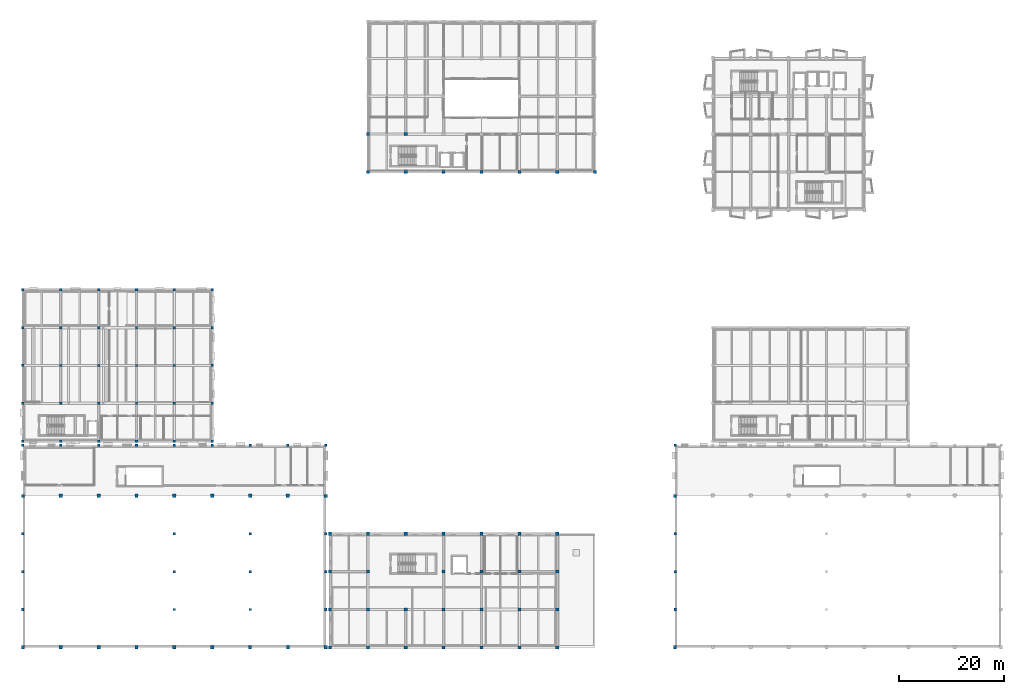
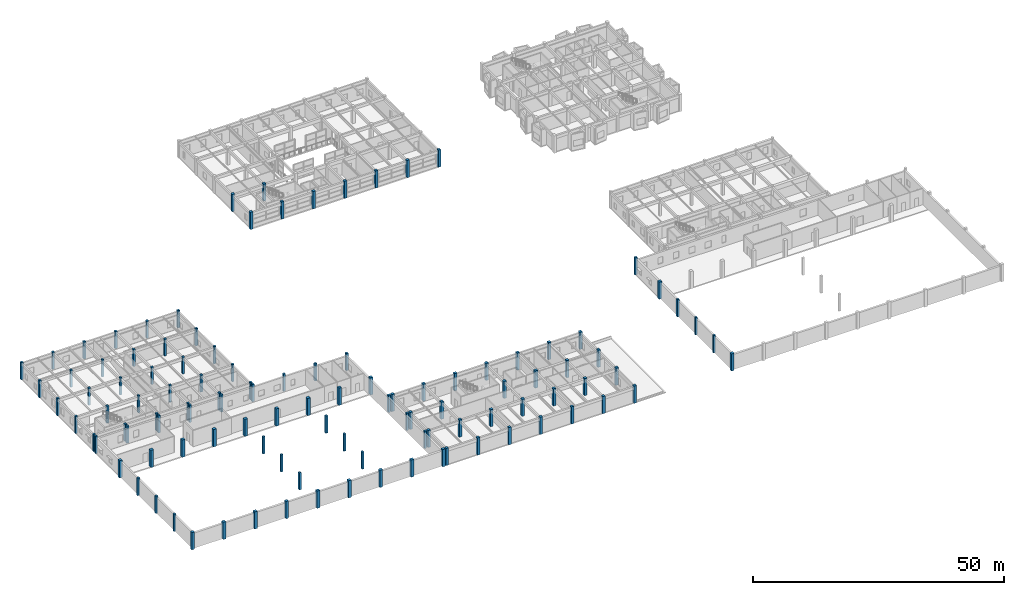
# One storey, part 1 of 49: 111 columns.
"""IFC4 building model written with IfcOpenShell, lengths in metres."""

import ifcopenshell
import ifcopenshell.guid

model = None  # the IFC model being written
_history = None  # IfcOwnerHistory: only IFC2X3 demands one
_inside = {}  # id of a spatial element -> (the spatial element, [elements in it])
_under = {}  # id of a project, library or spatial element -> (it, [spatial elements below it])
_declared = {}  # id of a project -> (the project, [libraries it declares])
_typed = {}  # id of a type object -> (the type object, [elements of that type])
_made_of = {}  # id of a material, layer set ... -> (it, [elements and type objects made of it])


def new_model(schema):
    """Start an empty IFC model of exactly this schema.

    Asked for "IFC4X3", IfcOpenShell would pick the latest addendum, in which some entities
    have other attributes; the version numbers below select the first issue.
    IFC2X3 requires an IfcOwnerHistory on every rooted entity: one is made here for all.
    """
    global model, _history
    if schema == "IFC4X3":
        model = ifcopenshell.file(schema_version=(4, 3, 0, 0))
    else:
        model = ifcopenshell.file(schema=schema)
    _inside.clear()
    _under.clear()
    _declared.clear()
    _typed.clear()
    _made_of.clear()
    _history = None
    if model.schema == "IFC2X3":
        org = make("IfcOrganization", Name="unknown")
        user = make(
            "IfcPersonAndOrganization",
            ThePerson=make("IfcPerson", FamilyName="unknown"),
            TheOrganization=org,
        )
        app = make(
            "IfcApplication",
            ApplicationDeveloper=org,
            Version="unknown",
            ApplicationFullName="unknown",
            ApplicationIdentifier="unknown",
        )
        _history = make(
            "IfcOwnerHistory",
            OwningUser=user,
            OwningApplication=app,
            ChangeAction="ADDED",
            CreationDate=0,
        )
    return model


def make(cls, **values):
    """One entity of the class cls with the attributes given. An attribute that is None is left unset."""
    return model.create_entity(
        cls, **{name: value for name, value in values.items() if value is not None}
    )


def rooted(cls, **values):
    """An entity with a GlobalId (a new one), such as an element, a storey or a relation."""
    return make(cls, GlobalId=ifcopenshell.guid.new(), OwnerHistory=_history, **values)


def si_unit(unit_type, name, prefix=None):
    """IfcSIUnit, for example si_unit("LENGTHUNIT", "METRE", prefix="MILLI")."""
    return make("IfcSIUnit", UnitType=unit_type, Prefix=prefix, Name=name)


def assignment(units):
    """IfcUnitAssignment: the units of a project."""
    return None if units is None else make("IfcUnitAssignment", Units=units)


def point(xyz):
    """IfcCartesianPoint."""
    return None if xyz is None else make("IfcCartesianPoint", Coordinates=xyz)


def direction(xyz):
    """IfcDirection."""
    return None if xyz is None else make("IfcDirection", DirectionRatios=xyz)


def frame(location, z_axis=None, x_axis=None):
    """IfcAxis2Placement3D, a coordinate frame: its origin and axes. An axis left out is left unset."""
    return make(
        "IfcAxis2Placement3D",
        Location=point(location),
        Axis=direction(z_axis),
        RefDirection=direction(x_axis),
    )


def frame_2d(location, x_axis=None):
    """IfcAxis2Placement2D, a coordinate frame in the plane: its origin and x axis."""
    return make(
        "IfcAxis2Placement2D", Location=point(location), RefDirection=direction(x_axis)
    )


def origin():
    """The frame at (0, 0, 0) with its axes left unset."""
    return frame((0.0, 0.0, 0.0))


def origin_2d():
    """The frame at (0, 0) in the plane with its x axis left unset."""
    return frame_2d((0.0, 0.0))


def place(relative_to, where):
    """IfcLocalPlacement: puts the frame where relative to a parent placement (None: the world)."""
    return make(
        "IfcLocalPlacement", PlacementRelTo=relative_to, RelativePlacement=where
    )


def context(
    kind, dimensions, precision=None, world=None, true_north=None, identifier=None
):
    """IfcGeometricRepresentationContext, for example the 3D "Model" context."""
    return make(
        "IfcGeometricRepresentationContext",
        ContextIdentifier=identifier,
        ContextType=kind,
        CoordinateSpaceDimension=dimensions,
        Precision=precision,
        WorldCoordinateSystem=world,
        TrueNorth=true_north,
    )


def subcontext(parent, identifier, kind, view, scale=None):
    """IfcGeometricRepresentationSubContext, for example "Body" below "Model"."""
    return make(
        "IfcGeometricRepresentationSubContext",
        ContextIdentifier=identifier,
        ContextType=kind,
        ParentContext=parent,
        TargetScale=scale,
        TargetView=view,
    )


def project(units=None, contexts=None):
    """IfcProject with its units and contexts."""
    return rooted(
        "IfcProject",
        Name="project",
        RepresentationContexts=contexts,
        UnitsInContext=assignment(units),
    )


def spatial(cls, under=None, at=None, **own):
    """A site, building, storey or space (cls), placed at a placement, below another one or the project."""
    s = rooted(cls, ObjectPlacement=at, **own)
    if under is not None:
        _under.setdefault(under.id(), (under, []))[1].append(s)
    return s


def profile(cls, at=None, kind="AREA", **sizes):
    """A parametric profile (cls). Its sizes go by their IFC names, for example OverallWidth=200.0."""
    return make(cls, ProfileType=kind, Position=at, **sizes)


def rectangle(**sizes):
    """IfcRectangleProfileDef."""
    return profile("IfcRectangleProfileDef", **sizes)


def extrude(swept, where, along, depth):
    """IfcExtrudedAreaSolid: the profile swept, set in the frame where, extruded along a direction by depth."""
    return make(
        "IfcExtrudedAreaSolid",
        SweptArea=swept,
        Position=where,
        ExtrudedDirection=direction(along),
        Depth=depth,
    )


def shape(context_of_items, identifier, shape_type, items):
    """IfcShapeRepresentation: the items that make up one representation, for example the "Body"."""
    return make(
        "IfcShapeRepresentation",
        ContextOfItems=context_of_items,
        RepresentationIdentifier=identifier,
        RepresentationType=shape_type,
        Items=items,
    )


def material(Name=None, Category=None):
    """IfcMaterial."""
    return make("IfcMaterial", Name=Name, Category=Category)


def material_profile(
    of_material, cross_section, Name=None, Category=None, Priority=None
):
    """IfcMaterialProfile: a cross section and its material."""
    return make(
        "IfcMaterialProfile",
        Name=Name,
        Material=of_material,
        Profile=cross_section,
        Priority=Priority,
        Category=Category,
    )


def profile_set(profiles, Name=None, composite=None):
    """IfcMaterialProfileSet."""
    return make(
        "IfcMaterialProfileSet",
        Name=Name,
        MaterialProfiles=profiles,
        CompositeProfile=composite,
    )


def made_of(thing, what):
    """Note that an element or type object is made of a material, layer set ...; save() writes the relation."""
    if what is not None:
        _made_of.setdefault(what.id(), (what, []))[1].append(thing)
    return thing


def type_object(cls, material=None, **own):
    """A type object (cls), such as IfcWallType, which elements share."""
    return made_of(rooted(cls, **own), material)


def element(
    cls,
    number,
    at=None,
    inside=None,
    cuts=None,
    type_object=None,
    material=None,
    context=None,
    identifier="Body",
    shape_type=None,
    held_by="IfcProductDefinitionShape",
    body=None,
    shapes=None,
    **own,
):
    """One element of the class cls, such as IfcWall. Its Tag is "e" and its number.

    at: its placement. inside: the storey or other place that contains it. cuts: it is an
    opening in that element (IfcRelVoidsElement). A single representation is given by context,
    identifier, shape_type and body (its items); several are given by shapes. held_by: the class
    of the entity that holds the representations. save() writes the other relations.
    """
    e = rooted(cls, Tag="e%d" % number, ObjectPlacement=at, **own)
    if body is not None:
        shapes = [shape(context, identifier, shape_type, body)]
    if shapes is not None:
        e.Representation = make(held_by, Representations=shapes)
    if inside is not None:
        _inside.setdefault(inside.id(), (inside, []))[1].append(e)
    if cuts is not None:
        rooted(
            "IfcRelVoidsElement", RelatingBuildingElement=cuts, RelatedOpeningElement=e
        )
    if type_object is not None:
        _typed.setdefault(type_object.id(), (type_object, []))[1].append(e)
    return made_of(e, material)


def aggregate(whole, parts):
    """IfcRelAggregates: a whole, such as a stair, and the parts it consists of."""
    return rooted("IfcRelAggregates", RelatingObject=whole, RelatedObjects=parts)


def save(model, path):
    """Write the relations noted so far, then the file.

    IfcRelAggregates (storeys below a building ...), IfcRelContainedInSpatialStructure (elements
    in a storey), IfcRelDefinesByType, IfcRelAssociatesMaterial and IfcRelDeclares: one each for
    every whole, place, type object, material and project.
    """
    for whole, parts in _under.values():
        aggregate(whole, parts)
    for where, things in _inside.values():
        rooted(
            "IfcRelContainedInSpatialStructure",
            RelatedElements=things,
            RelatingStructure=where,
        )
    for kind, things in _typed.values():
        rooted("IfcRelDefinesByType", RelatedObjects=things, RelatingType=kind)
    for what, things in _made_of.values():
        rooted("IfcRelAssociatesMaterial", RelatedObjects=things, RelatingMaterial=what)
    for by, libraries in _declared.values():
        rooted("IfcRelDeclares", RelatingContext=by, RelatedDefinitions=libraries)
    model.write(path)


model = new_model("IFC4")

# Units and contexts
model_context = context("Model", 3, precision=1e-05, world=origin(), true_north=direction((0.0, 1.0)))
body_context = subcontext(model_context, "Body", "Model", "MODEL_VIEW")
ifc_project = project(units=[si_unit("LENGTHUNIT", "METRE"), si_unit("AREAUNIT", "SQUARE_METRE"), si_unit("VOLUMEUNIT", "CUBIC_METRE"), si_unit("PLANEANGLEUNIT", "RADIAN"), si_unit("MASSUNIT", "GRAM", prefix="KILO")], contexts=[model_context])

# Site, building, storey
site_placement = place(None, origin())
site = spatial("IfcSite", under=ifc_project, at=site_placement, CompositionType="ELEMENT")
building_placement = place(site_placement, origin())
building = spatial("IfcBuilding", under=site, at=building_placement, Name="Bramveld Media Centre", CompositionType="ELEMENT")
storey_placement = place(building_placement, frame((0.0, 0.0, 9.60009765625)))
storey = spatial("IfcBuildingStorey", under=building, at=storey_placement, Name="L02", CompositionType="ELEMENT", Elevation=9.60009765625)

# Columns
ifc_material_1 = material(Name="Concrete C40/50", Category="concrete")
ifc_material_profile_1 = material_profile(ifc_material_1, rectangle(XDim=0.47998046875, YDim=0.47998046875, at=origin_2d()), Name="RC 480x480")
ifc_profile_set_1 = profile_set([ifc_material_profile_1], Name="Concrete C40/50")
column_type_1 = type_object("IfcColumnType", Name="COL-EXT-RC-480x480", PredefinedType="COLUMN", material=ifc_profile_set_1)
for number, where, z_axis, x_axis, name in (
    (1, (124.0, 7.199951171875, 0.0), (0.0, 0.0, 1.0), (1.0, 0.0, 0.0), "V1 L02 column RC 480x480"),
    (2, (124.0, 14.39990234375, 0.0), (0.0, 0.0, 1.0), (1.0, 0.0, 0.0), "V1 L02 column RC 480x480"),
    (3, (124.0, 21.60009765625, 0.0), (0.0, 0.0, 1.0), (1.0, 0.0, 0.0), "V1 L02 column RC 480x480"),
    (4, (124.0, 38.39990234375, 0.0), (0.0, 0.0, 1.0), (1.0, 0.0, 0.0), "V1 L02 column RC 480x480"),
    (5, (0.0, 7.199951171875, 0.0), (0.0, 0.0, 1.0), (1.0, 0.0, 0.0), "V2 L02 column RC 480x480"),
    (6, (0.0, 14.39990234375, 0.0), (0.0, 0.0, 1.0), (1.0, 0.0, 0.0), "V2 L02 column RC 480x480"),
    (7, (0.0, 21.60009765625, 0.0), (0.0, 0.0, 1.0), (1.0, 0.0, 0.0), "V2 L02 column RC 480x480"),
    (8, (0.0, 38.39990234375, 0.0), (0.0, 0.0, 1.0), (1.0, 0.0, 0.0), "V2 L02 column RC 480x480"),
    (9, (7.199951171875, 38.39990234375, 0.0), (0.0, 0.0, 1.0), (1.0, 0.0, 0.0), "V2 L02 column RC 480x480"),
    (10, (14.39990234375, 38.39990234375, 0.0), (0.0, 0.0, 1.0), (1.0, 0.0, 0.0), "V2 L02 column RC 480x480"),
    (11, (21.60009765625, 38.39990234375, 0.0), (0.0, 0.0, 1.0), (1.0, 0.0, 0.0), "V2 L02 column RC 480x480"),
    (12, (28.800048828125, 38.39990234375, 0.0), (0.0, 0.0, 1.0), (1.0, 0.0, 0.0), "V2 L02 column RC 480x480"),
    (13, (36.0, 38.39990234375, 0.0), (0.0, 0.0, 1.0), (1.0, 0.0, 0.0), "V2 L02 column RC 480x480"),
    (14, (43.199951171875, 38.39990234375, 0.0), (0.0, 0.0, 1.0), (1.0, 0.0, 0.0), "V2 L02 column RC 480x480"),
    (15, (50.39990234375, 38.39990234375, 0.0), (0.0, 0.0, 1.0), (1.0, 0.0, 0.0), "V2 L02 column RC 480x480"),
    (16, (57.60009765625, 7.199951171875, 0.0), (0.0, 0.0, 1.0), (1.0, 0.0, 0.0), "V2 L02 column RC 480x480"),
    (17, (57.60009765625, 14.39990234375, 0.0), (0.0, 0.0, 1.0), (1.0, 0.0, 0.0), "V2 L02 column RC 480x480"),
    (18, (57.60009765625, 21.60009765625, 0.0), (0.0, 0.0, 1.0), (1.0, 0.0, 0.0), "V2 L02 column RC 480x480"),
    (19, (57.60009765625, 38.39990234375, 0.0), (0.0, 0.0, 1.0), (1.0, 0.0, 0.0), "V2 L02 column RC 480x480"),
    (20, (0.0, 39.199951171875, 0.0), (0.0, 0.0, 1.0), (1.0, 0.0, 0.0), "V3 L02 column RC 480x480"),
    (21, (0.0, 46.39990234375, 0.0), (0.0, 0.0, 1.0), (1.0, 0.0, 0.0), "V3 L02 column RC 480x480"),
    (22, (0.0, 53.60009765625, 0.0), (0.0, 0.0, 1.0), (1.0, 0.0, 0.0), "V3 L02 column RC 480x480"),
    (23, (0.0, 60.800048828125, 0.0), (0.0, 0.0, 1.0), (1.0, 0.0, 0.0), "V3 L02 column RC 480x480"),
    (24, (0.0, 68.0, 0.0), (0.0, 0.0, 1.0), (1.0, 0.0, 0.0), "V3 L02 column RC 480x480"),
    (25, (7.199951171875, 39.199951171875, 0.0), (0.0, 0.0, 1.0), (1.0, 0.0, 0.0), "V3 L02 column RC 480x480"),
    (26, (7.199951171875, 68.0, 0.0), (0.0, 0.0, 1.0), (1.0, 0.0, 0.0), "V3 L02 column RC 480x480"),
    (27, (14.39990234375, 39.199951171875, 0.0), (0.0, 0.0, 1.0), (1.0, 0.0, 0.0), "V3 L02 column RC 480x480"),
    (28, (14.39990234375, 68.0, 0.0), (0.0, 0.0, 1.0), (1.0, 0.0, 0.0), "V3 L02 column RC 480x480"),
    (29, (21.60009765625, 39.199951171875, 0.0), (0.0, 0.0, 1.0), (1.0, 0.0, 0.0), "V3 L02 column RC 480x480"),
    (30, (21.60009765625, 68.0, 0.0), (0.0, 0.0, 1.0), (1.0, 0.0, 0.0), "V3 L02 column RC 480x480"),
    (31, (28.800048828125, 39.199951171875, 0.0), (0.0, 0.0, 1.0), (1.0, 0.0, 0.0), "V3 L02 column RC 480x480"),
    (32, (28.800048828125, 68.0, 0.0), (0.0, 0.0, 1.0), (1.0, 0.0, 0.0), "V3 L02 column RC 480x480"),
    (33, (36.0, 39.199951171875, 0.0), (0.0, 0.0, 1.0), (1.0, 0.0, 0.0), "V3 L02 column RC 480x480"),
    (34, (36.0, 46.39990234375, 0.0), (0.0, 0.0, 1.0), (1.0, 0.0, 0.0), "V3 L02 column RC 480x480"),
    (35, (36.0, 53.60009765625, 0.0), (0.0, 0.0, 1.0), (1.0, 0.0, 0.0), "V3 L02 column RC 480x480"),
    (36, (36.0, 60.800048828125, 0.0), (0.0, 0.0, 1.0), (1.0, 0.0, 0.0), "V3 L02 column RC 480x480"),
    (37, (36.0, 68.0, 0.0), (0.0, 0.0, 1.0), (1.0, 0.0, 0.0), "V3 L02 column RC 480x480"),
):
    element("IfcColumn", number, at=place(storey_placement, frame(where, z_axis=z_axis, x_axis=x_axis)), inside=storey, type_object=column_type_1, Name=name, PredefinedType="COLUMN", context=body_context, shape_type="SweptSolid", body=[
        extrude(rectangle(XDim=0.47998046875, YDim=0.47998046875, at=origin_2d()), origin(), (0.0, 0.0, 1.0), 4.199951171875),
    ])
ifc_material_2 = material(Name="Concrete C40/50", Category="concrete")
ifc_material_profile_2 = material_profile(ifc_material_2, rectangle(XDim=0.580078125, YDim=0.580078125, at=origin_2d()), Name="RC 580x580")
ifc_profile_set_2 = profile_set([ifc_material_profile_2], Name="Concrete C40/50")
column_type_2 = type_object("IfcColumnType", Name="COL-EXT-RC-580x580", PredefinedType="COLUMN", material=ifc_profile_set_2)
for number, where, z_axis, x_axis, name in (
    (38, (58.39990234375, 0.0, 0.0), (0.0, 0.0, 1.0), (1.0, 0.0, 0.0), "V5 L02 column RC 580x580"),
    (39, (58.39990234375, 7.199951171875, 0.0), (0.0, 0.0, 1.0), (1.0, 0.0, 0.0), "V5 L02 column RC 580x580"),
    (40, (58.39990234375, 14.39990234375, 0.0), (0.0, 0.0, 1.0), (1.0, 0.0, 0.0), "V5 L02 column RC 580x580"),
    (41, (58.39990234375, 21.60009765625, 0.0), (0.0, 0.0, 1.0), (1.0, 0.0, 0.0), "V5 L02 column RC 580x580"),
    (42, (65.60009765625, 0.0, 0.0), (0.0, 0.0, 1.0), (1.0, 0.0, 0.0), "V5 L02 column RC 580x580"),
    (43, (65.60009765625, 21.60009765625, 0.0), (0.0, 0.0, 1.0), (1.0, 0.0, 0.0), "V5 L02 column RC 580x580"),
    (44, (72.800048828125, 0.0, 0.0), (0.0, 0.0, 1.0), (1.0, 0.0, 0.0), "V5 L02 column RC 580x580"),
    (45, (72.800048828125, 21.60009765625, 0.0), (0.0, 0.0, 1.0), (1.0, 0.0, 0.0), "V5 L02 column RC 580x580"),
    (46, (80.0, 0.0, 0.0), (0.0, 0.0, 1.0), (1.0, 0.0, 0.0), "V5 L02 column RC 580x580"),
    (47, (80.0, 21.60009765625, 0.0), (0.0, 0.0, 1.0), (1.0, 0.0, 0.0), "V5 L02 column RC 580x580"),
    (48, (87.199951171875, 0.0, 0.0), (0.0, 0.0, 1.0), (1.0, 0.0, 0.0), "V5 L02 column RC 580x580"),
    (49, (87.199951171875, 21.60009765625, 0.0), (0.0, 0.0, 1.0), (1.0, 0.0, 0.0), "V5 L02 column RC 580x580"),
    (50, (94.39990234375, 0.0, 0.0), (0.0, 0.0, 1.0), (1.0, 0.0, 0.0), "V5 L02 column RC 580x580"),
    (51, (94.39990234375, 21.60009765625, 0.0), (0.0, 0.0, 1.0), (1.0, 0.0, 0.0), "V5 L02 column RC 580x580"),
    (52, (101.60009765625, 0.0, 0.0), (0.0, 0.0, 1.0), (1.0, 0.0, 0.0), "V5 L02 column RC 580x580"),
    (53, (101.60009765625, 7.199951171875, 0.0), (0.0, 0.0, 1.0), (1.0, 0.0, 0.0), "V5 L02 column RC 580x580"),
    (54, (101.60009765625, 14.39990234375, 0.0), (0.0, 0.0, 1.0), (1.0, 0.0, 0.0), "V5 L02 column RC 580x580"),
    (55, (101.60009765625, 21.60009765625, 0.0), (0.0, 0.0, 1.0), (1.0, 0.0, 0.0), "V5 L02 column RC 580x580"),
    (56, (65.60009765625, 90.39990234375, 0.0), (0.0, 0.0, 1.0), (1.0, 0.0, 0.0), "V6 L02 column RC 580x580"),
    (57, (65.60009765625, 97.60009765625, 0.0), (0.0, 0.0, 1.0), (1.0, 0.0, 0.0), "V6 L02 column RC 580x580"),
    (58, (72.800048828125, 90.39990234375, 0.0), (0.0, 0.0, 1.0), (1.0, 0.0, 0.0), "V6 L02 column RC 580x580"),
    (59, (80.0, 90.39990234375, 0.0), (0.0, 0.0, 1.0), (1.0, 0.0, 0.0), "V6 L02 column RC 580x580"),
    (60, (87.199951171875, 90.39990234375, 0.0), (0.0, 0.0, 1.0), (1.0, 0.0, 0.0), "V6 L02 column RC 580x580"),
    (61, (94.39990234375, 90.39990234375, 0.0), (0.0, 0.0, 1.0), (1.0, 0.0, 0.0), "V6 L02 column RC 580x580"),
    (62, (101.60009765625, 90.39990234375, 0.0), (0.0, 0.0, 1.0), (1.0, 0.0, 0.0), "V6 L02 column RC 580x580"),
    (63, (108.800048828125, 90.39990234375, 0.0), (0.0, 0.0, 1.0), (1.0, 0.0, 0.0), "V6 L02 column RC 580x580"),
):
    element("IfcColumn", number, at=place(storey_placement, frame(where, z_axis=z_axis, x_axis=x_axis)), inside=storey, type_object=column_type_2, Name=name, PredefinedType="COLUMN", context=body_context, shape_type="SweptSolid", body=[
        extrude(rectangle(XDim=0.580078125, YDim=0.580078125, at=origin_2d()), origin(), (0.0, 0.0, 1.0), 4.199951171875),
    ])
ifc_material_3 = material(Name="Concrete C40/50", Category="concrete")
ifc_material_profile_3 = material_profile(ifc_material_3, rectangle(XDim=0.6201171875, YDim=0.6201171875, at=origin_2d()), Name="RC 620x620")
ifc_profile_set_3 = profile_set([ifc_material_profile_3], Name="Concrete C40/50")
column_type_3 = type_object("IfcColumnType", Name="COL-EXT-RC-620x620", PredefinedType="COLUMN", material=ifc_profile_set_3)
for number, where, z_axis, x_axis, name in (
    (64, (124.0, 0.0, 0.0), (0.0, 0.0, 1.0), (1.0, 0.0, 0.0), "V1 L02 column RC 620x620"),
    (65, (124.0, 28.800048828125, 0.0), (0.0, 0.0, 1.0), (1.0, 0.0, 0.0), "V1 L02 column RC 620x620"),
    (66, (0.0, 0.0, 0.0), (0.0, 0.0, 1.0), (1.0, 0.0, 0.0), "V2 L02 column RC 620x620"),
    (67, (0.0, 28.800048828125, 0.0), (0.0, 0.0, 1.0), (1.0, 0.0, 0.0), "V2 L02 column RC 620x620"),
    (68, (7.199951171875, 0.0, 0.0), (0.0, 0.0, 1.0), (1.0, 0.0, 0.0), "V2 L02 column RC 620x620"),
    (69, (14.39990234375, 0.0, 0.0), (0.0, 0.0, 1.0), (1.0, 0.0, 0.0), "V2 L02 column RC 620x620"),
    (70, (21.60009765625, 0.0, 0.0), (0.0, 0.0, 1.0), (1.0, 0.0, 0.0), "V2 L02 column RC 620x620"),
    (71, (28.800048828125, 0.0, 0.0), (0.0, 0.0, 1.0), (1.0, 0.0, 0.0), "V2 L02 column RC 620x620"),
    (72, (36.0, 0.0, 0.0), (0.0, 0.0, 1.0), (1.0, 0.0, 0.0), "V2 L02 column RC 620x620"),
    (73, (43.199951171875, 0.0, 0.0), (0.0, 0.0, 1.0), (1.0, 0.0, 0.0), "V2 L02 column RC 620x620"),
    (74, (50.39990234375, 0.0, 0.0), (0.0, 0.0, 1.0), (1.0, 0.0, 0.0), "V2 L02 column RC 620x620"),
    (75, (57.60009765625, 0.0, 0.0), (0.0, 0.0, 1.0), (1.0, 0.0, 0.0), "V2 L02 column RC 620x620"),
    (76, (57.60009765625, 28.800048828125, 0.0), (0.0, 0.0, 1.0), (1.0, 0.0, 0.0), "V2 L02 column RC 620x620"),
):
    element("IfcColumn", number, at=place(storey_placement, frame(where, z_axis=z_axis, x_axis=x_axis)), inside=storey, type_object=column_type_3, Name=name, PredefinedType="COLUMN", context=body_context, shape_type="SweptSolid", body=[
        extrude(rectangle(XDim=0.6201171875, YDim=0.6201171875, at=origin_2d()), origin(), (0.0, 0.0, 1.0), 4.199951171875),
    ])
ifc_material_4 = material(Name="Concrete C40/50", Category="concrete")
ifc_material_profile_4 = material_profile(ifc_material_4, rectangle(XDim=0.449951171875, YDim=0.449951171875, at=origin_2d()), Name="RC 450x450")
ifc_profile_set_4 = profile_set([ifc_material_profile_4], Name="Concrete C40/50")
column_type_4 = type_object("IfcColumnType", Name="COL-INT-RC-450x450", PredefinedType="COLUMN", material=ifc_profile_set_4)
for number, where, z_axis, x_axis, name in (
    (77, (28.800048828125, 7.199951171875, 0.0), (0.0, 0.0, 1.0), (1.0, 0.0, 0.0), "V2 L02 column RC 450x450"),
    (78, (28.800048828125, 14.39990234375, 0.0), (0.0, 0.0, 1.0), (1.0, 0.0, 0.0), "V2 L02 column RC 450x450"),
    (79, (28.800048828125, 21.60009765625, 0.0), (0.0, 0.0, 1.0), (1.0, 0.0, 0.0), "V2 L02 column RC 450x450"),
    (80, (43.199951171875, 7.199951171875, 0.0), (0.0, 0.0, 1.0), (1.0, 0.0, 0.0), "V2 L02 column RC 450x450"),
    (81, (43.199951171875, 14.39990234375, 0.0), (0.0, 0.0, 1.0), (1.0, 0.0, 0.0), "V2 L02 column RC 450x450"),
    (82, (43.199951171875, 21.60009765625, 0.0), (0.0, 0.0, 1.0), (1.0, 0.0, 0.0), "V2 L02 column RC 450x450"),
    (83, (7.199951171875, 46.39990234375, 0.0), (0.0, 0.0, 1.0), (1.0, 0.0, 0.0), "V3 L02 column RC 450x450"),
    (84, (7.199951171875, 53.60009765625, 0.0), (0.0, 0.0, 1.0), (1.0, 0.0, 0.0), "V3 L02 column RC 450x450"),
    (85, (7.199951171875, 60.800048828125, 0.0), (0.0, 0.0, 1.0), (1.0, 0.0, 0.0), "V3 L02 column RC 450x450"),
    (86, (14.39990234375, 46.39990234375, 0.0), (0.0, 0.0, 1.0), (1.0, 0.0, 0.0), "V3 L02 column RC 450x450"),
    (87, (14.39990234375, 53.60009765625, 0.0), (0.0, 0.0, 1.0), (1.0, 0.0, 0.0), "V3 L02 column RC 450x450"),
    (88, (14.39990234375, 60.800048828125, 0.0), (0.0, 0.0, 1.0), (1.0, 0.0, 0.0), "V3 L02 column RC 450x450"),
    (89, (21.60009765625, 46.39990234375, 0.0), (0.0, 0.0, 1.0), (1.0, 0.0, 0.0), "V3 L02 column RC 450x450"),
    (90, (21.60009765625, 53.60009765625, 0.0), (0.0, 0.0, 1.0), (1.0, 0.0, 0.0), "V3 L02 column RC 450x450"),
    (91, (21.60009765625, 60.800048828125, 0.0), (0.0, 0.0, 1.0), (1.0, 0.0, 0.0), "V3 L02 column RC 450x450"),
    (92, (28.800048828125, 46.39990234375, 0.0), (0.0, 0.0, 1.0), (1.0, 0.0, 0.0), "V3 L02 column RC 450x450"),
    (93, (28.800048828125, 53.60009765625, 0.0), (0.0, 0.0, 1.0), (1.0, 0.0, 0.0), "V3 L02 column RC 450x450"),
    (94, (28.800048828125, 60.800048828125, 0.0), (0.0, 0.0, 1.0), (1.0, 0.0, 0.0), "V3 L02 column RC 450x450"),
):
    element("IfcColumn", number, at=place(storey_placement, frame(where, z_axis=z_axis, x_axis=x_axis)), inside=storey, type_object=column_type_4, Name=name, PredefinedType="COLUMN", context=body_context, shape_type="SweptSolid", body=[
        extrude(rectangle(XDim=0.449951171875, YDim=0.449951171875, at=origin_2d()), origin(), (0.0, 0.0, 1.0), 4.199951171875),
    ])
ifc_material_5 = material(Name="Concrete C40/50", Category="concrete")
ifc_material_profile_5 = material_profile(ifc_material_5, rectangle(XDim=0.60009765625, YDim=0.60009765625, at=origin_2d()), Name="RC 600x600")
ifc_profile_set_5 = profile_set([ifc_material_profile_5], Name="Concrete C40/50")
column_type_5 = type_object("IfcColumnType", Name="COL-INT-RC-600x600", PredefinedType="COLUMN", material=ifc_profile_set_5)
for number, where, z_axis, x_axis, name in (
    (95, (65.60009765625, 7.199951171875, 0.0), (0.0, 0.0, 1.0), (1.0, 0.0, 0.0), "V5 L02 column RC 600x600"),
    (96, (65.60009765625, 14.39990234375, 0.0), (0.0, 0.0, 1.0), (1.0, 0.0, 0.0), "V5 L02 column RC 600x600"),
    (97, (72.800048828125, 7.199951171875, 0.0), (0.0, 0.0, 1.0), (1.0, 0.0, 0.0), "V5 L02 column RC 600x600"),
    (98, (80.0, 7.199951171875, 0.0), (0.0, 0.0, 1.0), (1.0, 0.0, 0.0), "V5 L02 column RC 600x600"),
    (99, (80.0, 14.39990234375, 0.0), (0.0, 0.0, 1.0), (1.0, 0.0, 0.0), "V5 L02 column RC 600x600"),
    (100, (87.199951171875, 7.199951171875, 0.0), (0.0, 0.0, 1.0), (1.0, 0.0, 0.0), "V5 L02 column RC 600x600"),
    (101, (87.199951171875, 14.39990234375, 0.0), (0.0, 0.0, 1.0), (1.0, 0.0, 0.0), "V5 L02 column RC 600x600"),
    (102, (94.39990234375, 7.199951171875, 0.0), (0.0, 0.0, 1.0), (1.0, 0.0, 0.0), "V5 L02 column RC 600x600"),
    (103, (94.39990234375, 14.39990234375, 0.0), (0.0, 0.0, 1.0), (1.0, 0.0, 0.0), "V5 L02 column RC 600x600"),
    (104, (72.800048828125, 97.60009765625, 0.0), (0.0, 0.0, 1.0), (1.0, 0.0, 0.0), "V6 L02 column RC 600x600"),
):
    element("IfcColumn", number, at=place(storey_placement, frame(where, z_axis=z_axis, x_axis=x_axis)), inside=storey, type_object=column_type_5, Name=name, PredefinedType="COLUMN", context=body_context, shape_type="SweptSolid", body=[
        extrude(rectangle(XDim=0.60009765625, YDim=0.60009765625, at=origin_2d()), origin(), (0.0, 0.0, 1.0), 4.199951171875),
    ])
ifc_material_6 = material(Name="Concrete C40/50", Category="concrete")
ifc_material_profile_6 = material_profile(ifc_material_6, rectangle(XDim=0.64990234375, YDim=0.64990234375, at=origin_2d()), Name="RC 650x650")
ifc_profile_set_6 = profile_set([ifc_material_profile_6], Name="Concrete C40/50")
column_type_6 = type_object("IfcColumnType", Name="COL-INT-RC-650x650", PredefinedType="COLUMN", material=ifc_profile_set_6)
for number, where, z_axis, x_axis, name in (
    (105, (7.199951171875, 28.800048828125, 0.0), (0.0, 0.0, 1.0), (1.0, 0.0, 0.0), "V2 L02 column RC 650x650"),
    (106, (14.39990234375, 28.800048828125, 0.0), (0.0, 0.0, 1.0), (1.0, 0.0, 0.0), "V2 L02 column RC 650x650"),
    (107, (21.60009765625, 28.800048828125, 0.0), (0.0, 0.0, 1.0), (1.0, 0.0, 0.0), "V2 L02 column RC 650x650"),
    (108, (28.800048828125, 28.800048828125, 0.0), (0.0, 0.0, 1.0), (1.0, 0.0, 0.0), "V2 L02 column RC 650x650"),
    (109, (36.0, 28.800048828125, 0.0), (0.0, 0.0, 1.0), (1.0, 0.0, 0.0), "V2 L02 column RC 650x650"),
    (110, (43.199951171875, 28.800048828125, 0.0), (0.0, 0.0, 1.0), (1.0, 0.0, 0.0), "V2 L02 column RC 650x650"),
    (111, (50.39990234375, 28.800048828125, 0.0), (0.0, 0.0, 1.0), (1.0, 0.0, 0.0), "V2 L02 column RC 650x650"),
):
    element("IfcColumn", number, at=place(storey_placement, frame(where, z_axis=z_axis, x_axis=x_axis)), inside=storey, type_object=column_type_6, Name=name, PredefinedType="COLUMN", context=body_context, shape_type="SweptSolid", body=[
        extrude(rectangle(XDim=0.64990234375, YDim=0.64990234375, at=origin_2d()), origin(), (0.0, 0.0, 1.0), 4.199951171875),
    ])

save(model, "model.ifc")
